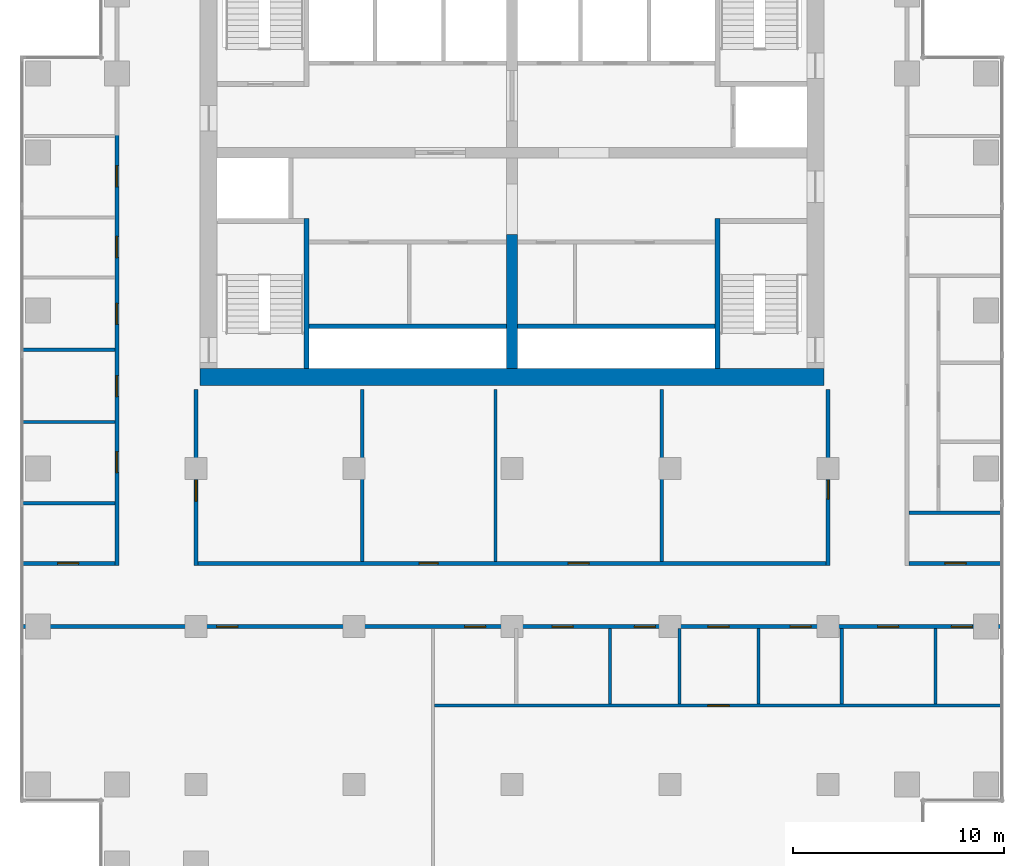
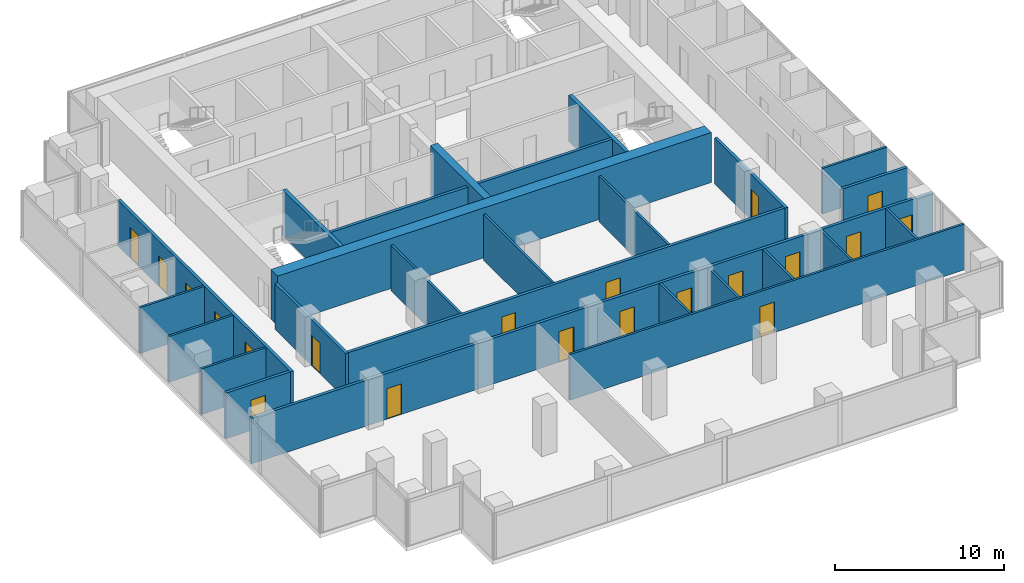
# One storey, part 7 of 10: 26 walls, 20 doors, 20 openings.
"""IFC4 building model written with IfcOpenShell, lengths in metres."""

import ifcopenshell
import ifcopenshell.guid

model = None  # the IFC model being written
_history = None  # IfcOwnerHistory: only IFC2X3 demands one
_inside = {}  # id of a spatial element -> (the spatial element, [elements in it])
_under = {}  # id of a project, library or spatial element -> (it, [spatial elements below it])
_declared = {}  # id of a project -> (the project, [libraries it declares])
_typed = {}  # id of a type object -> (the type object, [elements of that type])
_made_of = {}  # id of a material, layer set ... -> (it, [elements and type objects made of it])


def new_model(schema):
    """Start an empty IFC model of exactly this schema.

    Asked for "IFC4X3", IfcOpenShell would pick the latest addendum, in which some entities
    have other attributes; the version numbers below select the first issue.
    IFC2X3 requires an IfcOwnerHistory on every rooted entity: one is made here for all.
    """
    global model, _history
    if schema == "IFC4X3":
        model = ifcopenshell.file(schema_version=(4, 3, 0, 0))
    else:
        model = ifcopenshell.file(schema=schema)
    _inside.clear()
    _under.clear()
    _declared.clear()
    _typed.clear()
    _made_of.clear()
    _history = None
    if model.schema == "IFC2X3":
        org = make("IfcOrganization", Name="unknown")
        user = make(
            "IfcPersonAndOrganization",
            ThePerson=make("IfcPerson", FamilyName="unknown"),
            TheOrganization=org,
        )
        app = make(
            "IfcApplication",
            ApplicationDeveloper=org,
            Version="unknown",
            ApplicationFullName="unknown",
            ApplicationIdentifier="unknown",
        )
        _history = make(
            "IfcOwnerHistory",
            OwningUser=user,
            OwningApplication=app,
            ChangeAction="ADDED",
            CreationDate=0,
        )
    return model


def make(cls, **values):
    """One entity of the class cls with the attributes given. An attribute that is None is left unset."""
    return model.create_entity(
        cls, **{name: value for name, value in values.items() if value is not None}
    )


def rooted(cls, **values):
    """An entity with a GlobalId (a new one), such as an element, a storey or a relation."""
    return make(cls, GlobalId=ifcopenshell.guid.new(), OwnerHistory=_history, **values)


def si_unit(unit_type, name, prefix=None):
    """IfcSIUnit, for example si_unit("LENGTHUNIT", "METRE", prefix="MILLI")."""
    return make("IfcSIUnit", UnitType=unit_type, Prefix=prefix, Name=name)


def assignment(units):
    """IfcUnitAssignment: the units of a project."""
    return None if units is None else make("IfcUnitAssignment", Units=units)


def point(xyz):
    """IfcCartesianPoint."""
    return None if xyz is None else make("IfcCartesianPoint", Coordinates=xyz)


def direction(xyz):
    """IfcDirection."""
    return None if xyz is None else make("IfcDirection", DirectionRatios=xyz)


def frame(location, z_axis=None, x_axis=None):
    """IfcAxis2Placement3D, a coordinate frame: its origin and axes. An axis left out is left unset."""
    return make(
        "IfcAxis2Placement3D",
        Location=point(location),
        Axis=direction(z_axis),
        RefDirection=direction(x_axis),
    )


def frame_2d(location, x_axis=None):
    """IfcAxis2Placement2D, a coordinate frame in the plane: its origin and x axis."""
    return make(
        "IfcAxis2Placement2D", Location=point(location), RefDirection=direction(x_axis)
    )


def origin():
    """The frame at (0, 0, 0) with its axes left unset."""
    return frame((0.0, 0.0, 0.0))


def place(relative_to, where):
    """IfcLocalPlacement: puts the frame where relative to a parent placement (None: the world)."""
    return make(
        "IfcLocalPlacement", PlacementRelTo=relative_to, RelativePlacement=where
    )


def context(
    kind, dimensions, precision=None, world=None, true_north=None, identifier=None
):
    """IfcGeometricRepresentationContext, for example the 3D "Model" context."""
    return make(
        "IfcGeometricRepresentationContext",
        ContextIdentifier=identifier,
        ContextType=kind,
        CoordinateSpaceDimension=dimensions,
        Precision=precision,
        WorldCoordinateSystem=world,
        TrueNorth=true_north,
    )


def subcontext(parent, identifier, kind, view, scale=None):
    """IfcGeometricRepresentationSubContext, for example "Body" below "Model"."""
    return make(
        "IfcGeometricRepresentationSubContext",
        ContextIdentifier=identifier,
        ContextType=kind,
        ParentContext=parent,
        TargetScale=scale,
        TargetView=view,
    )


def project(units=None, contexts=None):
    """IfcProject with its units and contexts."""
    return rooted(
        "IfcProject",
        Name="project",
        RepresentationContexts=contexts,
        UnitsInContext=assignment(units),
    )


def spatial(cls, under=None, at=None, **own):
    """A site, building, storey or space (cls), placed at a placement, below another one or the project."""
    s = rooted(cls, ObjectPlacement=at, **own)
    if under is not None:
        _under.setdefault(under.id(), (under, []))[1].append(s)
    return s


def profile(cls, at=None, kind="AREA", **sizes):
    """A parametric profile (cls). Its sizes go by their IFC names, for example OverallWidth=200.0."""
    return make(cls, ProfileType=kind, Position=at, **sizes)


def rectangle(**sizes):
    """IfcRectangleProfileDef."""
    return profile("IfcRectangleProfileDef", **sizes)


def extrude(swept, where, along, depth):
    """IfcExtrudedAreaSolid: the profile swept, set in the frame where, extruded along a direction by depth."""
    return make(
        "IfcExtrudedAreaSolid",
        SweptArea=swept,
        Position=where,
        ExtrudedDirection=direction(along),
        Depth=depth,
    )


def shape(context_of_items, identifier, shape_type, items):
    """IfcShapeRepresentation: the items that make up one representation, for example the "Body"."""
    return make(
        "IfcShapeRepresentation",
        ContextOfItems=context_of_items,
        RepresentationIdentifier=identifier,
        RepresentationType=shape_type,
        Items=items,
    )


def material(Name=None, Category=None):
    """IfcMaterial."""
    return make("IfcMaterial", Name=Name, Category=Category)


def layer(
    of_material, thickness, ventilated=None, Name=None, Category=None, Priority=None
):
    """IfcMaterialLayer: one layer of a wall or slab, of a material (None: an air gap)."""
    return make(
        "IfcMaterialLayer",
        Material=of_material,
        LayerThickness=thickness,
        IsVentilated=ventilated,
        Name=Name,
        Category=Category,
        Priority=Priority,
    )


def layer_set(layers, Name=None):
    """IfcMaterialLayerSet."""
    return make("IfcMaterialLayerSet", MaterialLayers=layers, LayerSetName=Name)


def made_of(thing, what):
    """Note that an element or type object is made of a material, layer set ...; save() writes the relation."""
    if what is not None:
        _made_of.setdefault(what.id(), (what, []))[1].append(thing)
    return thing


def type_object(cls, material=None, **own):
    """A type object (cls), such as IfcWallType, which elements share."""
    return made_of(rooted(cls, **own), material)


def element(
    cls,
    number,
    at=None,
    inside=None,
    cuts=None,
    type_object=None,
    material=None,
    context=None,
    identifier="Body",
    shape_type=None,
    held_by="IfcProductDefinitionShape",
    body=None,
    shapes=None,
    **own,
):
    """One element of the class cls, such as IfcWall. Its Tag is "e" and its number.

    at: its placement. inside: the storey or other place that contains it. cuts: it is an
    opening in that element (IfcRelVoidsElement). A single representation is given by context,
    identifier, shape_type and body (its items); several are given by shapes. held_by: the class
    of the entity that holds the representations. save() writes the other relations.
    """
    e = rooted(cls, Tag="e%d" % number, ObjectPlacement=at, **own)
    if body is not None:
        shapes = [shape(context, identifier, shape_type, body)]
    if shapes is not None:
        e.Representation = make(held_by, Representations=shapes)
    if inside is not None:
        _inside.setdefault(inside.id(), (inside, []))[1].append(e)
    if cuts is not None:
        rooted(
            "IfcRelVoidsElement", RelatingBuildingElement=cuts, RelatedOpeningElement=e
        )
    if type_object is not None:
        _typed.setdefault(type_object.id(), (type_object, []))[1].append(e)
    return made_of(e, material)


def fill(opening, filler):
    """IfcRelFillsElement: the door or window that sits in an opening."""
    return rooted(
        "IfcRelFillsElement",
        RelatingOpeningElement=opening,
        RelatedBuildingElement=filler,
    )


def aggregate(whole, parts):
    """IfcRelAggregates: a whole, such as a stair, and the parts it consists of."""
    return rooted("IfcRelAggregates", RelatingObject=whole, RelatedObjects=parts)


def save(model, path):
    """Write the relations noted so far, then the file.

    IfcRelAggregates (storeys below a building ...), IfcRelContainedInSpatialStructure (elements
    in a storey), IfcRelDefinesByType, IfcRelAssociatesMaterial and IfcRelDeclares: one each for
    every whole, place, type object, material and project.
    """
    for whole, parts in _under.values():
        aggregate(whole, parts)
    for where, things in _inside.values():
        rooted(
            "IfcRelContainedInSpatialStructure",
            RelatedElements=things,
            RelatingStructure=where,
        )
    for kind, things in _typed.values():
        rooted("IfcRelDefinesByType", RelatedObjects=things, RelatingType=kind)
    for what, things in _made_of.values():
        rooted("IfcRelAssociatesMaterial", RelatedObjects=things, RelatingMaterial=what)
    for by, libraries in _declared.values():
        rooted("IfcRelDeclares", RelatingContext=by, RelatedDefinitions=libraries)
    model.write(path)


model = new_model("IFC4")

# Units and contexts
model_context = context("Model", 3, precision=1e-05, world=origin(), true_north=direction((0.0, 1.0)))
body_context = subcontext(model_context, "Body", "Model", "MODEL_VIEW")
ifc_project = project(units=[si_unit("LENGTHUNIT", "METRE"), si_unit("AREAUNIT", "SQUARE_METRE"), si_unit("VOLUMEUNIT", "CUBIC_METRE"), si_unit("PLANEANGLEUNIT", "RADIAN"), si_unit("MASSUNIT", "GRAM", prefix="KILO")], contexts=[model_context])

# Site, building, storey
site_placement = place(None, origin())
site = spatial("IfcSite", under=ifc_project, at=site_placement, CompositionType="ELEMENT")
building_placement = place(site_placement, origin())
building = spatial("IfcBuilding", under=site, at=building_placement, Name="Pilkhan Gate Tower", CompositionType="ELEMENT")
storey_placement = place(building_placement, frame((0.0, 0.0, 162.10009765625)))
storey = spatial("IfcBuildingStorey", under=building, at=storey_placement, Name="L41", CompositionType="ELEMENT", Elevation=162.10009765625)

# Wall
ifc_material_1 = material(Name="Concrete C60/75", Category="concrete")
ifc_layer_1 = layer(ifc_material_1, 0.800048828125)
ifc_layer_set_1 = layer_set([ifc_layer_1], Name="Core wall CW800 C60/75")
wall_type_1 = type_object("IfcWallType", Name="Core wall CW800 C60/75", PredefinedType="SHEAR", material=ifc_layer_set_1)
wall_1_placement = place(storey_placement, frame((60.199951171875, 71.85009765625, 0.0), z_axis=(0.0, 0.0, 1.0), x_axis=(1.0, 0.0, 0.0)))
element("IfcWall", 1, at=wall_1_placement, inside=storey, type_object=wall_type_1, Name="Core wall S L41", PredefinedType="SHEAR", context=body_context, shape_type="SweptSolid", body=[
    extrude(rectangle(XDim=29.60009765625, YDim=0.800048828125, at=frame_2d((14.800048828125, 0.0))), origin(), (0.0, 0.0, 1.0), 3.599853515625),
])

# Wall, openings, doors
ifc_material_2 = material(Name="Dense blockwork", Category="masonry")
ifc_layer_2 = layer(ifc_material_2, 0.199951171875)
ifc_layer_set_2 = layer_set([ifc_layer_2], Name="Corridor wall FW200")
wall_type_2 = type_object("IfcWallType", Name="Corridor wall FW200", PredefinedType="PARTITIONING", material=ifc_layer_set_2)
wall_2_placement = place(storey_placement, frame((51.735107421875, 60.0, 0.0), z_axis=(0.0, 0.0, 1.0), x_axis=(1.0, 0.0, 0.0)))
wall_2 = element("IfcWall", 2, at=wall_2_placement, inside=storey, type_object=wall_type_2, Name="Partition L41", PredefinedType="PARTITIONING", context=body_context, shape_type="SweptSolid", body=[
    extrude(rectangle(XDim=46.52978515625, YDim=0.199951171875, at=frame_2d((23.264892578125, 0.0))), origin(), (0.0, 0.0, 1.0), 3.2998046875),
])
opening_1_placement = place(wall_2_placement, frame((25.169921875, 0.0, 0.0)))
opening_1 = element("IfcOpeningElement", 3, at=opening_1_placement, cuts=wall_2, Name="Opening L41-06", PredefinedType="OPENING", context=body_context, shape_type="SweptSolid", body=[
    extrude(rectangle(XDim=1.0, YDim=2.199951171875, at=frame_2d((0.5, 1.10009765625))), frame((0.0, 0.10986328125, 0.0), z_axis=(0.0, -1.0, 0.0), x_axis=(1.0, 0.0, 0.0)), (0.0, 0.0, 1.0), 0.219970703125),
])
opening_2_placement = place(wall_2_placement, frame((32.56494140625, 0.0, 0.0)))
opening_2 = element("IfcOpeningElement", 4, at=opening_2_placement, cuts=wall_2, Name="Opening L41-07", PredefinedType="OPENING", context=body_context, shape_type="SweptSolid", body=[
    extrude(rectangle(XDim=1.0, YDim=2.199951171875, at=frame_2d((0.5, 1.10009765625))), frame((0.0, 0.10986328125, 0.0), z_axis=(0.0, -1.0, 0.0), x_axis=(1.0, 0.0, 0.0)), (0.0, 0.0, 1.0), 0.219970703125),
])
opening_3_placement = place(wall_2_placement, frame((40.6201171875, 0.0, 0.0)))
opening_3 = element("IfcOpeningElement", 5, at=opening_3_placement, cuts=wall_2, Name="Opening L41-08", PredefinedType="OPENING", context=body_context, shape_type="SweptSolid", body=[
    extrude(rectangle(XDim=1.0, YDim=2.199951171875, at=frame_2d((0.5, 1.10009765625))), frame((0.0, 0.10986328125, 0.0), z_axis=(0.0, -1.0, 0.0), x_axis=(1.0, 0.0, 0.0)), (0.0, 0.0, 1.0), 0.219970703125),
])
opening_4_placement = place(wall_2_placement, frame((9.25, 0.0, 0.0)))
opening_4 = element("IfcOpeningElement", 6, at=opening_4_placement, cuts=wall_2, Name="Opening L41-18", PredefinedType="OPENING", context=body_context, shape_type="SweptSolid", body=[
    extrude(rectangle(XDim=1.0, YDim=2.199951171875, at=frame_2d((0.5, 1.10009765625))), frame((0.0, 0.10986328125, 0.0), z_axis=(0.0, -1.0, 0.0), x_axis=(1.0, 0.0, 0.0)), (0.0, 0.0, 1.0), 0.219970703125),
])
opening_5_placement = place(wall_2_placement, frame((21.014892578125, 0.0, 0.0)))
opening_5 = element("IfcOpeningElement", 7, at=opening_5_placement, cuts=wall_2, Name="Opening L41-19", PredefinedType="OPENING", context=body_context, shape_type="SweptSolid", body=[
    extrude(rectangle(XDim=1.0, YDim=2.199951171875, at=frame_2d((0.5, 1.10009765625))), frame((0.0, 0.10986328125, 0.0), z_axis=(0.0, -1.0, 0.0), x_axis=(1.0, 0.0, 0.0)), (0.0, 0.0, 1.0), 0.219970703125),
])
opening_6_placement = place(wall_2_placement, frame((29.069091796875, 0.0, 0.0)))
opening_6 = element("IfcOpeningElement", 8, at=opening_6_placement, cuts=wall_2, Name="Opening L41-20", PredefinedType="OPENING", context=body_context, shape_type="SweptSolid", body=[
    extrude(rectangle(XDim=1.0, YDim=2.199951171875, at=frame_2d((0.5, 1.10009765625))), frame((0.0, 0.10986328125, 0.0), z_axis=(0.0, -1.0, 0.0), x_axis=(1.0, 0.0, 0.0)), (0.0, 0.0, 1.0), 0.219970703125),
])
opening_7_placement = place(wall_2_placement, frame((36.465087890625, 0.0, 0.0)))
opening_7 = element("IfcOpeningElement", 9, at=opening_7_placement, cuts=wall_2, Name="Opening L41-21", PredefinedType="OPENING", context=body_context, shape_type="SweptSolid", body=[
    extrude(rectangle(XDim=1.0, YDim=2.199951171875, at=frame_2d((0.5, 1.10009765625))), frame((0.0, 0.10986328125, 0.0), z_axis=(0.0, -1.0, 0.0), x_axis=(1.0, 0.0, 0.0)), (0.0, 0.0, 1.0), 0.219970703125),
])
opening_8_placement = place(wall_2_placement, frame((44.118896484375, 0.0, 0.0)))
opening_8 = element("IfcOpeningElement", 10, at=opening_8_placement, cuts=wall_2, Name="Opening L41-22", PredefinedType="OPENING", context=body_context, shape_type="SweptSolid", body=[
    extrude(rectangle(XDim=1.0, YDim=2.199951171875, at=frame_2d((0.5, 1.10009765625))), frame((0.0, 0.10986328125, 0.0), z_axis=(0.0, -1.0, 0.0), x_axis=(1.0, 0.0, 0.0)), (0.0, 0.0, 1.0), 0.219970703125),
])
ifc_material_3 = material(Name="Timber flush door, 30 minute fire resisting", Category="wood")
door_type_1 = type_object("IfcDoorType", Name="Room door D03 1000x2200", OperationType="SINGLE_SWING_LEFT", PredefinedType="DOOR", material=ifc_material_3)
door_1_placement = place(opening_1_placement, origin())
door_1 = element("IfcDoor", 11, at=door_1_placement, inside=storey, type_object=door_type_1, Name="Room door", OperationType="SINGLE_SWING_LEFT", OverallHeight=2.199951171875, OverallWidth=1.0, PredefinedType="DOOR", context=body_context, shape_type="SweptSolid", body=[
    extrude(rectangle(XDim=1.0, YDim=2.199951171875, at=frame_2d((0.5, 1.10009765625))), frame((0.0, 0.02490234375, 0.0), z_axis=(0.0, -1.0, 0.0), x_axis=(1.0, 0.0, 0.0)), (0.0, 0.0, 1.0), 0.050048828125),
])
fill(opening_1, door_1)
door_2_placement = place(opening_2_placement, origin())
door_2 = element("IfcDoor", 12, at=door_2_placement, inside=storey, type_object=door_type_1, Name="Room door", OperationType="SINGLE_SWING_LEFT", OverallHeight=2.199951171875, OverallWidth=1.0, PredefinedType="DOOR", context=body_context, shape_type="SweptSolid", body=[
    extrude(rectangle(XDim=1.0, YDim=2.199951171875, at=frame_2d((0.5, 1.10009765625))), frame((0.0, 0.02490234375, 0.0), z_axis=(0.0, -1.0, 0.0), x_axis=(1.0, 0.0, 0.0)), (0.0, 0.0, 1.0), 0.050048828125),
])
fill(opening_2, door_2)
door_3_placement = place(opening_3_placement, origin())
door_3 = element("IfcDoor", 13, at=door_3_placement, inside=storey, type_object=door_type_1, Name="Room door", OperationType="SINGLE_SWING_RIGHT", OverallHeight=2.199951171875, OverallWidth=1.0, PredefinedType="DOOR", context=body_context, shape_type="SweptSolid", body=[
    extrude(rectangle(XDim=1.0, YDim=2.199951171875, at=frame_2d((0.5, 1.10009765625))), frame((0.0, 0.02490234375, 0.0), z_axis=(0.0, -1.0, 0.0), x_axis=(1.0, 0.0, 0.0)), (0.0, 0.0, 1.0), 0.050048828125),
])
fill(opening_3, door_3)
door_4_placement = place(opening_4_placement, origin())
door_4 = element("IfcDoor", 14, at=door_4_placement, inside=storey, type_object=door_type_1, Name="Room door", OperationType="SINGLE_SWING_LEFT", OverallHeight=2.199951171875, OverallWidth=1.0, PredefinedType="DOOR", context=body_context, shape_type="SweptSolid", body=[
    extrude(rectangle(XDim=1.0, YDim=2.199951171875, at=frame_2d((0.5, 1.10009765625))), frame((0.0, 0.02490234375, 0.0), z_axis=(0.0, -1.0, 0.0), x_axis=(1.0, 0.0, 0.0)), (0.0, 0.0, 1.0), 0.050048828125),
])
fill(opening_4, door_4)
door_5_placement = place(opening_5_placement, origin())
door_5 = element("IfcDoor", 15, at=door_5_placement, inside=storey, type_object=door_type_1, Name="Room door", OperationType="SINGLE_SWING_LEFT", OverallHeight=2.199951171875, OverallWidth=1.0, PredefinedType="DOOR", context=body_context, shape_type="SweptSolid", body=[
    extrude(rectangle(XDim=1.0, YDim=2.199951171875, at=frame_2d((0.5, 1.10009765625))), frame((0.0, 0.02490234375, 0.0), z_axis=(0.0, -1.0, 0.0), x_axis=(1.0, 0.0, 0.0)), (0.0, 0.0, 1.0), 0.050048828125),
])
fill(opening_5, door_5)
door_6_placement = place(opening_6_placement, origin())
door_6 = element("IfcDoor", 16, at=door_6_placement, inside=storey, type_object=door_type_1, Name="Room door", OperationType="SINGLE_SWING_LEFT", OverallHeight=2.199951171875, OverallWidth=1.0, PredefinedType="DOOR", context=body_context, shape_type="SweptSolid", body=[
    extrude(rectangle(XDim=1.0, YDim=2.199951171875, at=frame_2d((0.5, 1.10009765625))), frame((0.0, 0.02490234375, 0.0), z_axis=(0.0, -1.0, 0.0), x_axis=(1.0, 0.0, 0.0)), (0.0, 0.0, 1.0), 0.050048828125),
])
fill(opening_6, door_6)
door_7_placement = place(opening_7_placement, origin())
door_7 = element("IfcDoor", 17, at=door_7_placement, inside=storey, type_object=door_type_1, Name="Room door", OperationType="SINGLE_SWING_LEFT", OverallHeight=2.199951171875, OverallWidth=1.0, PredefinedType="DOOR", context=body_context, shape_type="SweptSolid", body=[
    extrude(rectangle(XDim=1.0, YDim=2.199951171875, at=frame_2d((0.5, 1.10009765625))), frame((0.0, 0.02490234375, 0.0), z_axis=(0.0, -1.0, 0.0), x_axis=(1.0, 0.0, 0.0)), (0.0, 0.0, 1.0), 0.050048828125),
])
fill(opening_7, door_7)
door_8_placement = place(opening_8_placement, origin())
door_8 = element("IfcDoor", 18, at=door_8_placement, inside=storey, type_object=door_type_1, Name="Room door", OperationType="SINGLE_SWING_LEFT", OverallHeight=2.199951171875, OverallWidth=1.0, PredefinedType="DOOR", context=body_context, shape_type="SweptSolid", body=[
    extrude(rectangle(XDim=1.0, YDim=2.199951171875, at=frame_2d((0.5, 1.10009765625))), frame((0.0, 0.02490234375, 0.0), z_axis=(0.0, -1.0, 0.0), x_axis=(1.0, 0.0, 0.0)), (0.0, 0.0, 1.0), 0.050048828125),
])
fill(opening_8, door_8)

# Wall, opening, door
wall_3_placement = place(storey_placement, frame((51.735107421875, 63.0, 0.0), z_axis=(0.0, 0.0, 1.0), x_axis=(1.0, 0.0, 0.0)))
wall_3 = element("IfcWall", 19, at=wall_3_placement, inside=storey, type_object=wall_type_2, Name="Partition L41", PredefinedType="PARTITIONING", context=body_context, shape_type="SweptSolid", body=[
    extrude(rectangle(XDim=4.414794921875, YDim=0.199951171875, at=frame_2d((2.20751953125, 0.0))), origin(), (0.0, 0.0, 1.0), 3.2998046875),
])
opening_9_placement = place(wall_3_placement, frame((1.699951171875, 0.0, 0.0)))
opening_9 = element("IfcOpeningElement", 20, at=opening_9_placement, cuts=wall_3, Name="Opening L41-24", PredefinedType="OPENING", context=body_context, shape_type="SweptSolid", body=[
    extrude(rectangle(XDim=1.0, YDim=2.199951171875, at=frame_2d((0.5, 1.10009765625))), frame((0.0, 0.10986328125, 0.0), z_axis=(0.0, -1.0, 0.0), x_axis=(1.0, 0.0, 0.0)), (0.0, 0.0, 1.0), 0.219970703125),
])
door_9_placement = place(opening_9_placement, origin())
door_9 = element("IfcDoor", 21, at=door_9_placement, inside=storey, type_object=door_type_1, Name="Room door", OperationType="SINGLE_SWING_RIGHT", OverallHeight=2.199951171875, OverallWidth=1.0, PredefinedType="DOOR", context=body_context, shape_type="SweptSolid", body=[
    extrude(rectangle(XDim=1.0, YDim=2.199951171875, at=frame_2d((0.5, 1.10009765625))), frame((0.0, 0.02490234375, 0.0), z_axis=(0.0, -1.0, 0.0), x_axis=(1.0, 0.0, 0.0)), (0.0, 0.0, 1.0), 0.050048828125),
])
fill(opening_9, door_9)

# Wall, openings, doors
wall_4_placement = place(storey_placement, frame((60.10009765625, 63.0, 0.0), z_axis=(0.0, 0.0, 1.0), x_axis=(1.0, 0.0, 0.0)))
wall_4 = element("IfcWall", 22, at=wall_4_placement, inside=storey, type_object=wall_type_2, Name="Partition L41", PredefinedType="PARTITIONING", context=body_context, shape_type="SweptSolid", body=[
    extrude(rectangle(XDim=29.7998046875, YDim=0.199951171875, at=frame_2d((14.89990234375, 0.0))), origin(), (0.0, 0.0, 1.0), 3.2998046875),
])
opening_10_placement = place(wall_4_placement, frame((10.4951171875, 0.0, 0.0)))
opening_10 = element("IfcOpeningElement", 23, at=opening_10_placement, cuts=wall_4, Name="Opening L41-35", PredefinedType="OPENING", context=body_context, shape_type="SweptSolid", body=[
    extrude(rectangle(XDim=0.89990234375, YDim=2.199951171875, at=frame_2d((0.449951171875, 1.10009765625))), frame((0.0, 0.10986328125, 0.0), z_axis=(0.0, -1.0, 0.0), x_axis=(1.0, 0.0, 0.0)), (0.0, 0.0, 1.0), 0.219970703125),
])
opening_11_placement = place(wall_4_placement, frame((17.56103515625, 0.0, 0.0)))
opening_11 = element("IfcOpeningElement", 24, at=opening_11_placement, cuts=wall_4, Name="Opening L41-36", PredefinedType="OPENING", context=body_context, shape_type="SweptSolid", body=[
    extrude(rectangle(XDim=1.0, YDim=2.199951171875, at=frame_2d((0.5, 1.10009765625))), frame((0.0, 0.10986328125, 0.0), z_axis=(0.0, -1.0, 0.0), x_axis=(1.0, 0.0, 0.0)), (0.0, 0.0, 1.0), 0.219970703125),
])
door_10_placement = place(opening_11_placement, origin())
door_10 = element("IfcDoor", 25, at=door_10_placement, inside=storey, type_object=door_type_1, Name="Room door", OperationType="SINGLE_SWING_LEFT", OverallHeight=2.199951171875, OverallWidth=1.0, PredefinedType="DOOR", context=body_context, shape_type="SweptSolid", body=[
    extrude(rectangle(XDim=1.0, YDim=2.199951171875, at=frame_2d((0.5, 1.10009765625))), frame((0.0, 0.02490234375, 0.0), z_axis=(0.0, -1.0, 0.0), x_axis=(1.0, 0.0, 0.0)), (0.0, 0.0, 1.0), 0.050048828125),
])
fill(opening_11, door_10)
ifc_material_4 = material(Name="Timber flush door, 60 minute fire resisting, self-closing", Category="wood")
door_type_2 = type_object("IfcDoorType", Name="Store door D05 900x2200", OperationType="SINGLE_SWING_LEFT", PredefinedType="DOOR", material=ifc_material_4)
door_11_placement = place(opening_10_placement, origin())
door_11 = element("IfcDoor", 26, at=door_11_placement, inside=storey, type_object=door_type_2, Name="Store door", OperationType="SINGLE_SWING_RIGHT", OverallHeight=2.199951171875, OverallWidth=0.89990234375, PredefinedType="DOOR", context=body_context, shape_type="SweptSolid", body=[
    extrude(rectangle(XDim=0.89990234375, YDim=2.199951171875, at=frame_2d((0.449951171875, 1.10009765625))), frame((0.0, 0.02490234375, 0.0), z_axis=(0.0, -1.0, 0.0), x_axis=(1.0, 0.0, 0.0)), (0.0, 0.0, 1.0), 0.050048828125),
])
fill(opening_10, door_11)

# Wall, opening, door
wall_5_placement = place(storey_placement, frame((93.85009765625, 63.0, 0.0), z_axis=(0.0, 0.0, 1.0), x_axis=(1.0, 0.0, 0.0)))
wall_5 = element("IfcWall", 27, at=wall_5_placement, inside=storey, type_object=wall_type_2, Name="Partition L41", PredefinedType="PARTITIONING", context=body_context, shape_type="SweptSolid", body=[
    extrude(rectangle(XDim=4.414794921875, YDim=0.199951171875, at=frame_2d((2.20751953125, 0.0))), origin(), (0.0, 0.0, 1.0), 3.2998046875),
])
opening_12_placement = place(wall_5_placement, frame((1.699951171875, 0.0, 0.0)))
opening_12 = element("IfcOpeningElement", 28, at=opening_12_placement, cuts=wall_5, Name="Opening L41-31", PredefinedType="OPENING", context=body_context, shape_type="SweptSolid", body=[
    extrude(rectangle(XDim=1.0, YDim=2.199951171875, at=frame_2d((0.5, 1.10009765625))), frame((0.0, 0.10986328125, 0.0), z_axis=(0.0, -1.0, 0.0), x_axis=(1.0, 0.0, 0.0)), (0.0, 0.0, 1.0), 0.219970703125),
])
door_12_placement = place(opening_12_placement, origin())
door_12 = element("IfcDoor", 29, at=door_12_placement, inside=storey, type_object=door_type_1, Name="Room door", OperationType="SINGLE_SWING_LEFT", OverallHeight=2.199951171875, OverallWidth=1.0, PredefinedType="DOOR", context=body_context, shape_type="SweptSolid", body=[
    extrude(rectangle(XDim=1.0, YDim=2.199951171875, at=frame_2d((0.5, 1.10009765625))), frame((0.0, 0.02490234375, 0.0), z_axis=(0.0, -1.0, 0.0), x_axis=(1.0, 0.0, 0.0)), (0.0, 0.0, 1.0), 0.050048828125),
])
fill(opening_12, door_12)

# Wall, openings, doors
wall_6_placement = place(storey_placement, frame((56.25, 62.89990234375, 0.0), z_axis=(0.0, 0.0, 1.0), x_axis=(0.0, 1.0, 0.0)))
wall_6 = element("IfcWall", 30, at=wall_6_placement, inside=storey, type_object=wall_type_2, Name="Partition L41", PredefinedType="PARTITIONING", context=body_context, shape_type="SweptSolid", body=[
    extrude(rectangle(XDim=20.455078125, YDim=0.199951171875, at=frame_2d((10.2275390625, 0.0))), origin(), (0.0, 0.0, 1.0), 3.2998046875),
])
opening_13_placement = place(wall_6_placement, frame((4.406005859375, 0.0, 0.0)))
opening_13 = element("IfcOpeningElement", 31, at=opening_13_placement, cuts=wall_6, Name="Opening L41-09", PredefinedType="OPENING", context=body_context, shape_type="SweptSolid", body=[
    extrude(rectangle(XDim=1.0, YDim=2.199951171875, at=frame_2d((0.5, 1.10009765625))), frame((0.0, 0.10986328125, 0.0), z_axis=(0.0, -1.0, 0.0), x_axis=(1.0, 0.0, 0.0)), (0.0, 0.0, 1.0), 0.219970703125),
])
opening_14_placement = place(wall_6_placement, frame((17.97412109375, 0.0, 0.0)))
opening_14 = element("IfcOpeningElement", 32, at=opening_14_placement, cuts=wall_6, Name="Opening L41-10", PredefinedType="OPENING", context=body_context, shape_type="SweptSolid", body=[
    extrude(rectangle(XDim=1.0, YDim=2.199951171875, at=frame_2d((0.5, 1.10009765625))), frame((0.0, 0.10986328125, 0.0), z_axis=(0.0, -1.0, 0.0), x_axis=(1.0, 0.0, 0.0)), (0.0, 0.0, 1.0), 0.219970703125),
])
opening_15_placement = place(wall_6_placement, frame((8.011962890625, 0.0, 0.0)))
opening_15 = element("IfcOpeningElement", 33, at=opening_15_placement, cuts=wall_6, Name="Opening L41-25", PredefinedType="OPENING", context=body_context, shape_type="SweptSolid", body=[
    extrude(rectangle(XDim=1.0, YDim=2.199951171875, at=frame_2d((0.5, 1.10009765625))), frame((0.0, 0.10986328125, 0.0), z_axis=(0.0, -1.0, 0.0), x_axis=(1.0, 0.0, 0.0)), (0.0, 0.0, 1.0), 0.219970703125),
])
opening_16_placement = place(wall_6_placement, frame((11.43994140625, 0.0, 0.0)))
opening_16 = element("IfcOpeningElement", 34, at=opening_16_placement, cuts=wall_6, Name="Opening L41-26", PredefinedType="OPENING", context=body_context, shape_type="SweptSolid", body=[
    extrude(rectangle(XDim=1.0, YDim=2.199951171875, at=frame_2d((0.5, 1.10009765625))), frame((0.0, 0.10986328125, 0.0), z_axis=(0.0, -1.0, 0.0), x_axis=(1.0, 0.0, 0.0)), (0.0, 0.0, 1.0), 0.219970703125),
])
opening_17_placement = place(wall_6_placement, frame((14.617919921875, 0.0, 0.0)))
opening_17 = element("IfcOpeningElement", 35, at=opening_17_placement, cuts=wall_6, Name="Opening L41-27", PredefinedType="OPENING", context=body_context, shape_type="SweptSolid", body=[
    extrude(rectangle(XDim=1.0, YDim=2.199951171875, at=frame_2d((0.5, 1.10009765625))), frame((0.0, 0.10986328125, 0.0), z_axis=(0.0, -1.0, 0.0), x_axis=(1.0, 0.0, 0.0)), (0.0, 0.0, 1.0), 0.219970703125),
])
door_13_placement = place(opening_13_placement, origin())
door_13 = element("IfcDoor", 36, at=door_13_placement, inside=storey, type_object=door_type_1, Name="Room door", OperationType="SINGLE_SWING_RIGHT", OverallHeight=2.199951171875, OverallWidth=1.0, PredefinedType="DOOR", context=body_context, shape_type="SweptSolid", body=[
    extrude(rectangle(XDim=1.0, YDim=2.199951171875, at=frame_2d((0.5, 1.10009765625))), frame((0.0, 0.02490234375, 0.0), z_axis=(0.0, -1.0, 0.0), x_axis=(1.0, 0.0, 0.0)), (0.0, 0.0, 1.0), 0.050048828125),
])
fill(opening_13, door_13)
door_14_placement = place(opening_14_placement, origin())
door_14 = element("IfcDoor", 37, at=door_14_placement, inside=storey, type_object=door_type_1, Name="Room door", OperationType="SINGLE_SWING_RIGHT", OverallHeight=2.199951171875, OverallWidth=1.0, PredefinedType="DOOR", context=body_context, shape_type="SweptSolid", body=[
    extrude(rectangle(XDim=1.0, YDim=2.199951171875, at=frame_2d((0.5, 1.10009765625))), frame((0.0, 0.02490234375, 0.0), z_axis=(0.0, -1.0, 0.0), x_axis=(1.0, 0.0, 0.0)), (0.0, 0.0, 1.0), 0.050048828125),
])
fill(opening_14, door_14)
door_15_placement = place(opening_15_placement, origin())
door_15 = element("IfcDoor", 38, at=door_15_placement, inside=storey, type_object=door_type_1, Name="Room door", OperationType="SINGLE_SWING_LEFT", OverallHeight=2.199951171875, OverallWidth=1.0, PredefinedType="DOOR", context=body_context, shape_type="SweptSolid", body=[
    extrude(rectangle(XDim=1.0, YDim=2.199951171875, at=frame_2d((0.5, 1.10009765625))), frame((0.0, 0.02490234375, 0.0), z_axis=(0.0, -1.0, 0.0), x_axis=(1.0, 0.0, 0.0)), (0.0, 0.0, 1.0), 0.050048828125),
])
fill(opening_15, door_15)
door_16_placement = place(opening_16_placement, origin())
door_16 = element("IfcDoor", 39, at=door_16_placement, inside=storey, type_object=door_type_1, Name="Room door", OperationType="SINGLE_SWING_LEFT", OverallHeight=2.199951171875, OverallWidth=1.0, PredefinedType="DOOR", context=body_context, shape_type="SweptSolid", body=[
    extrude(rectangle(XDim=1.0, YDim=2.199951171875, at=frame_2d((0.5, 1.10009765625))), frame((0.0, 0.02490234375, 0.0), z_axis=(0.0, -1.0, 0.0), x_axis=(1.0, 0.0, 0.0)), (0.0, 0.0, 1.0), 0.050048828125),
])
fill(opening_16, door_16)
door_17_placement = place(opening_17_placement, origin())
door_17 = element("IfcDoor", 40, at=door_17_placement, inside=storey, type_object=door_type_1, Name="Room door", OperationType="SINGLE_SWING_LEFT", OverallHeight=2.199951171875, OverallWidth=1.0, PredefinedType="DOOR", context=body_context, shape_type="SweptSolid", body=[
    extrude(rectangle(XDim=1.0, YDim=2.199951171875, at=frame_2d((0.5, 1.10009765625))), frame((0.0, 0.02490234375, 0.0), z_axis=(0.0, -1.0, 0.0), x_axis=(1.0, 0.0, 0.0)), (0.0, 0.0, 1.0), 0.050048828125),
])
fill(opening_17, door_17)

# Wall, opening, door
wall_7_placement = place(storey_placement, frame((60.0, 62.89990234375, 0.0), z_axis=(0.0, 0.0, 1.0), x_axis=(0.0, 1.0, 0.0)))
wall_7 = element("IfcWall", 41, at=wall_7_placement, inside=storey, type_object=wall_type_2, Name="Partition L41", PredefinedType="PARTITIONING", context=body_context, shape_type="SweptSolid", body=[
    extrude(rectangle(XDim=8.35009765625, YDim=0.199951171875, at=frame_2d((4.175048828125, 0.0))), origin(), (0.0, 0.0, 1.0), 3.2998046875),
])
opening_18_placement = place(wall_7_placement, frame((3.050048828125, 0.0, 0.0)))
opening_18 = element("IfcOpeningElement", 42, at=opening_18_placement, cuts=wall_7, Name="Opening L41-34", PredefinedType="OPENING", context=body_context, shape_type="SweptSolid", body=[
    extrude(rectangle(XDim=1.0, YDim=2.199951171875, at=frame_2d((0.5, 1.10009765625))), frame((0.0, 0.10986328125, 0.0), z_axis=(0.0, -1.0, 0.0), x_axis=(1.0, 0.0, 0.0)), (0.0, 0.0, 1.0), 0.219970703125),
])
door_18_placement = place(opening_18_placement, origin())
door_18 = element("IfcDoor", 43, at=door_18_placement, inside=storey, type_object=door_type_1, Name="Room door", OperationType="SINGLE_SWING_RIGHT", OverallHeight=2.199951171875, OverallWidth=1.0, PredefinedType="DOOR", context=body_context, shape_type="SweptSolid", body=[
    extrude(rectangle(XDim=1.0, YDim=2.199951171875, at=frame_2d((0.5, 1.10009765625))), frame((0.0, 0.02490234375, 0.0), z_axis=(0.0, -1.0, 0.0), x_axis=(1.0, 0.0, 0.0)), (0.0, 0.0, 1.0), 0.050048828125),
])
fill(opening_18, door_18)

wall_8_placement = place(storey_placement, frame((90.0, 62.89990234375, 0.0), z_axis=(0.0, 0.0, 1.0), x_axis=(0.0, 1.0, 0.0)))
wall_8 = element("IfcWall", 44, at=wall_8_placement, inside=storey, type_object=wall_type_2, Name="Partition L41", PredefinedType="PARTITIONING", context=body_context, shape_type="SweptSolid", body=[
    extrude(rectangle(XDim=8.35009765625, YDim=0.199951171875, at=frame_2d((4.175048828125, 0.0))), origin(), (0.0, 0.0, 1.0), 3.2998046875),
])
opening_19_placement = place(wall_8_placement, frame((3.14990234375, 0.0, 0.0)))
opening_19 = element("IfcOpeningElement", 45, at=opening_19_placement, cuts=wall_8, Name="Opening L41-37", PredefinedType="OPENING", context=body_context, shape_type="SweptSolid", body=[
    extrude(rectangle(XDim=0.89990234375, YDim=2.199951171875, at=frame_2d((0.449951171875, 1.10009765625))), frame((0.0, 0.10986328125, 0.0), z_axis=(0.0, -1.0, 0.0), x_axis=(1.0, 0.0, 0.0)), (0.0, 0.0, 1.0), 0.219970703125),
])
door_19_placement = place(opening_19_placement, origin())
door_19 = element("IfcDoor", 46, at=door_19_placement, inside=storey, type_object=door_type_2, Name="Store door", OperationType="SINGLE_SWING_LEFT", OverallHeight=2.199951171875, OverallWidth=0.89990234375, PredefinedType="DOOR", context=body_context, shape_type="SweptSolid", body=[
    extrude(rectangle(XDim=0.89990234375, YDim=2.199951171875, at=frame_2d((0.449951171875, 1.10009765625))), frame((0.0, 0.02490234375, 0.0), z_axis=(0.0, -1.0, 0.0), x_axis=(1.0, 0.0, 0.0)), (0.0, 0.0, 1.0), 0.050048828125),
])
fill(opening_19, door_19)

# Walls
ifc_layer_3 = layer(ifc_material_2, 0.199951171875)
ifc_layer_set_3 = layer_set([ifc_layer_3], Name="Lobby wall LW200")
wall_type_3 = type_object("IfcWallType", Name="Lobby wall LW200", PredefinedType="PARTITIONING", material=ifc_layer_set_3)
for number, where, z_axis, x_axis, name in (
    (47, (65.375, 74.25, 0.0), (0.0, 0.0, 1.0), (1.0, 0.0, 0.0), "Partition L41"),
    (48, (75.260009765625, 74.25, 0.0), (0.0, 0.0, 1.0), (1.0, 0.0, 0.0), "Partition L41"),
):
    element("IfcWall", number, at=place(storey_placement, frame(where, z_axis=z_axis, x_axis=x_axis)), inside=storey, type_object=wall_type_3, Name=name, PredefinedType="PARTITIONING", context=body_context, shape_type="SweptSolid", body=[
        extrude(rectangle(XDim=9.364990234375, YDim=0.199951171875, at=frame_2d((4.6826171875, 0.0))), origin(), (0.0, 0.0, 1.0), 3.2998046875),
    ])

# Wall, opening, door
ifc_material_5 = material(Name="Blockwork partition, plastered both sides", Category="masonry")
ifc_layer_4 = layer(ifc_material_5, 0.14990234375)
ifc_layer_set_4 = layer_set([ifc_layer_4], Name="Partition PW150")
wall_type_4 = type_object("IfcWallType", Name="Partition PW150", PredefinedType="PARTITIONING", material=ifc_layer_set_4)
wall_9_placement = place(storey_placement, frame((71.324951171875, 56.25, 0.0), z_axis=(0.0, 0.0, 1.0), x_axis=(1.0, 0.0, 0.0)))
wall_9 = element("IfcWall", 49, at=wall_9_placement, inside=storey, type_object=wall_type_4, Name="Partition L41", PredefinedType="PARTITIONING", context=body_context, shape_type="SweptSolid", body=[
    extrude(rectangle(XDim=26.93994140625, YDim=0.14990234375, at=frame_2d((13.469970703125, 0.0))), origin(), (0.0, 0.0, 1.0), 3.2998046875),
])
opening_20_placement = place(wall_9_placement, frame((12.97509765625, 0.0, 0.0)))
opening_20 = element("IfcOpeningElement", 50, at=opening_20_placement, cuts=wall_9, Name="Opening L41-23", PredefinedType="OPENING", context=body_context, shape_type="SweptSolid", body=[
    extrude(rectangle(XDim=1.0, YDim=2.199951171875, at=frame_2d((0.5, 1.10009765625))), frame((0.0, 0.0849609375, 0.0), z_axis=(0.0, -1.0, 0.0), x_axis=(1.0, 0.0, 0.0)), (0.0, 0.0, 1.0), 0.169921875),
])
door_20_placement = place(opening_20_placement, origin())
door_20 = element("IfcDoor", 51, at=door_20_placement, inside=storey, type_object=door_type_1, Name="Room door", OperationType="SINGLE_SWING_LEFT", OverallHeight=2.199951171875, OverallWidth=1.0, PredefinedType="DOOR", context=body_context, shape_type="SweptSolid", body=[
    extrude(rectangle(XDim=1.0, YDim=2.199951171875, at=frame_2d((0.5, 1.10009765625))), frame((0.0, 0.02490234375, 0.0), z_axis=(0.0, -1.0, 0.0), x_axis=(1.0, 0.0, 0.0)), (0.0, 0.0, 1.0), 0.050048828125),
])
fill(opening_20, door_20)

# Walls
for number, where, z_axis, x_axis, name in (
    (52, (93.85009765625, 65.39990234375, 0.0), (0.0, 0.0, 1.0), (1.0, 0.0, 0.0), "Partition L41"),
    (53, (51.735107421875, 65.85595703125, 0.0), (0.0, 0.0, 1.0), (1.0, 0.0, 0.0), "Partition L41"),
    (54, (51.735107421875, 69.7119140625, 0.0), (0.0, 0.0, 1.0), (1.0, 0.0, 0.0), "Partition L41"),
    (55, (51.735107421875, 73.139892578125, 0.0), (0.0, 0.0, 1.0), (1.0, 0.0, 0.0), "Partition L41"),
):
    element("IfcWall", number, at=place(storey_placement, frame(where, z_axis=z_axis, x_axis=x_axis)), inside=storey, type_object=wall_type_4, Name=name, PredefinedType="PARTITIONING", context=body_context, shape_type="SweptSolid", body=[
        extrude(rectangle(XDim=4.414794921875, YDim=0.14990234375, at=frame_2d((2.20751953125, 0.0))), origin(), (0.0, 0.0, 1.0), 3.2998046875),
    ])
for number, where, z_axis, x_axis, name in (
    (56, (67.89501953125, 63.10009765625, 0.0), (0.0, 0.0, 1.0), (0.0, 1.0, 0.0), "Partition L41"),
    (57, (74.2109375, 63.10009765625, 0.0), (0.0, 0.0, 1.0), (0.0, 1.0, 0.0), "Partition L41"),
):
    element("IfcWall", number, at=place(storey_placement, frame(where, z_axis=z_axis, x_axis=x_axis)), inside=storey, type_object=wall_type_4, Name=name, PredefinedType="PARTITIONING", context=body_context, shape_type="SweptSolid", body=[
        extrude(rectangle(XDim=8.14990234375, YDim=0.14990234375, at=frame_2d((4.074951171875, 0.0))), origin(), (0.0, 0.0, 1.0), 3.2998046875),
    ])
wall_10_placement = place(storey_placement, frame((79.654052734375, 56.324951171875, 0.0), z_axis=(0.0, 0.0, 1.0), x_axis=(0.0, 1.0, 0.0)))
element("IfcWall", 58, at=wall_10_placement, inside=storey, type_object=wall_type_4, Name="Partition L41", PredefinedType="PARTITIONING", context=body_context, shape_type="SweptSolid", body=[
    extrude(rectangle(XDim=3.574951171875, YDim=0.14990234375, at=frame_2d((1.78759765625, 0.0))), origin(), (0.0, 0.0, 1.0), 3.2998046875),
])
wall_11_placement = place(storey_placement, frame((82.10498046875, 63.10009765625, 0.0), z_axis=(0.0, 0.0, 1.0), x_axis=(0.0, 1.0, 0.0)))
element("IfcWall", 59, at=wall_11_placement, inside=storey, type_object=wall_type_4, Name="Partition L41", PredefinedType="PARTITIONING", context=body_context, shape_type="SweptSolid", body=[
    extrude(rectangle(XDim=8.14990234375, YDim=0.14990234375, at=frame_2d((4.074951171875, 0.0))), origin(), (0.0, 0.0, 1.0), 3.2998046875),
])
for number, where, z_axis, x_axis, name in (
    (60, (82.949951171875, 56.324951171875, 0.0), (0.0, 0.0, 1.0), (0.0, 1.0, 0.0), "Partition L41"),
    (61, (86.699951171875, 56.324951171875, 0.0), (0.0, 0.0, 1.0), (0.0, 1.0, 0.0), "Partition L41"),
    (62, (90.655029296875, 56.324951171875, 0.0), (0.0, 0.0, 1.0), (0.0, 1.0, 0.0), "Partition L41"),
    (63, (95.10400390625, 56.324951171875, 0.0), (0.0, 0.0, 1.0), (0.0, 1.0, 0.0), "Partition L41"),
):
    element("IfcWall", number, at=place(storey_placement, frame(where, z_axis=z_axis, x_axis=x_axis)), inside=storey, type_object=wall_type_4, Name=name, PredefinedType="PARTITIONING", context=body_context, shape_type="SweptSolid", body=[
        extrude(rectangle(XDim=3.574951171875, YDim=0.14990234375, at=frame_2d((1.78759765625, 0.0))), origin(), (0.0, 0.0, 1.0), 3.2998046875),
    ])
ifc_layer_5 = layer(ifc_material_1, 0.5)
ifc_layer_set_5 = layer_set([ifc_layer_5], Name="Spine wall SW500 C60/75")
wall_type_5 = type_object("IfcWallType", Name="Spine wall SW500 C60/75", PredefinedType="SHEAR", material=ifc_layer_set_5)
wall_12_placement = place(storey_placement, frame((75.0, 72.25, 0.0), z_axis=(0.0, 0.0, 1.0), x_axis=(0.0, 1.0, 0.0)))
element("IfcWall", 64, at=wall_12_placement, inside=storey, type_object=wall_type_5, Name="Spine wall SP-NS-S1 L41", PredefinedType="SHEAR", context=body_context, shape_type="SweptSolid", body=[
    extrude(rectangle(XDim=6.35009765625, YDim=0.5, at=frame_2d((3.175048828125, 0.0))), origin(), (0.0, 0.0, 1.0), 3.599853515625),
])
ifc_material_6 = material(Name="Reinforced blockwork, 120 minute fire resisting", Category="masonry")
ifc_layer_6 = layer(ifc_material_6, 0.25)
ifc_layer_set_6 = layer_set([ifc_layer_6], Name="Stair enclosure wall SE250")
wall_type_6 = type_object("IfcWallType", Name="Stair enclosure wall SE250", PredefinedType="PARTITIONING", material=ifc_layer_set_6)
for number, where, z_axis, x_axis, name in (
    (65, (65.25, 72.25, 0.0), (0.0, 0.0, 1.0), (0.0, 1.0, 0.0), "Partition L41"),
    (66, (84.75, 72.25, 0.0), (0.0, 0.0, 1.0), (0.0, 1.0, 0.0), "Partition L41"),
):
    element("IfcWall", number, at=place(storey_placement, frame(where, z_axis=z_axis, x_axis=x_axis)), inside=storey, type_object=wall_type_6, Name=name, PredefinedType="PARTITIONING", context=body_context, shape_type="SweptSolid", body=[
        extrude(rectangle(XDim=7.125, YDim=0.25, at=frame_2d((3.5625, 0.0))), origin(), (0.0, 0.0, 1.0), 3.2998046875),
    ])

save(model, "model.ifc")
